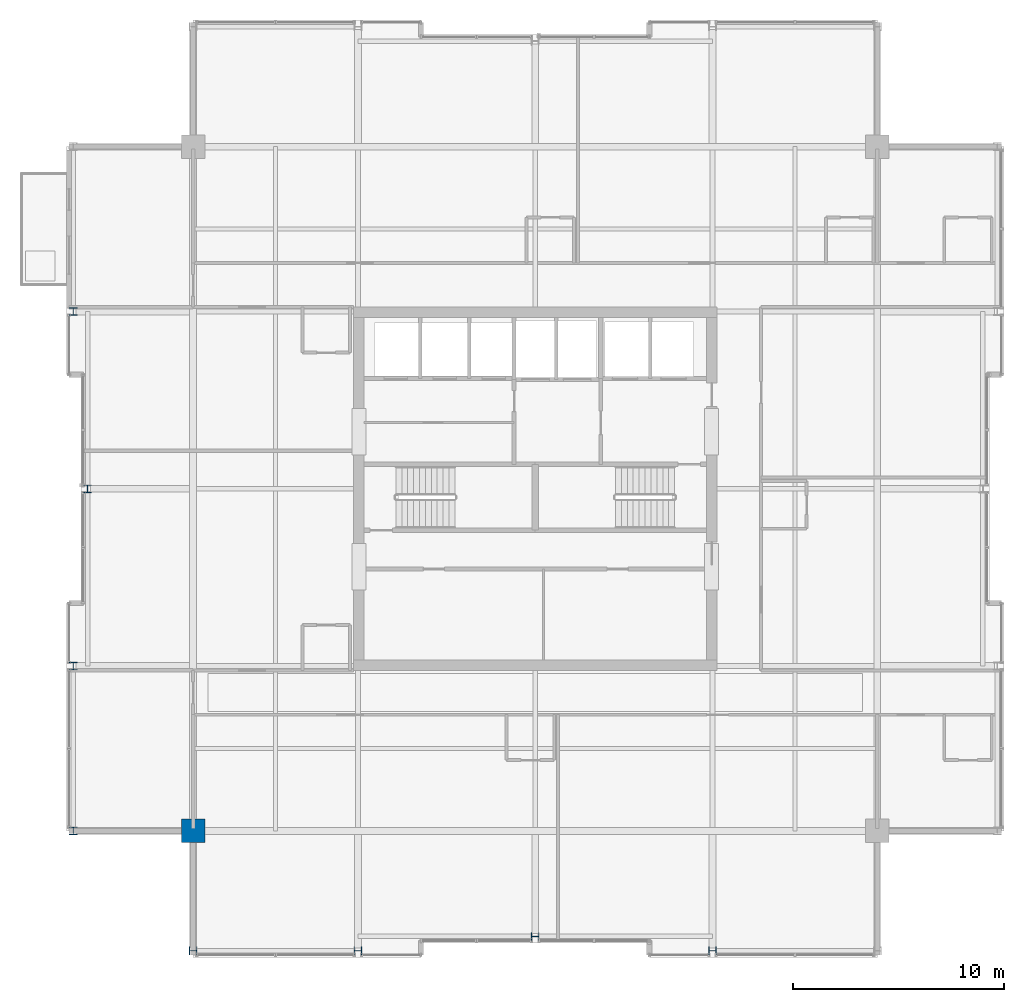
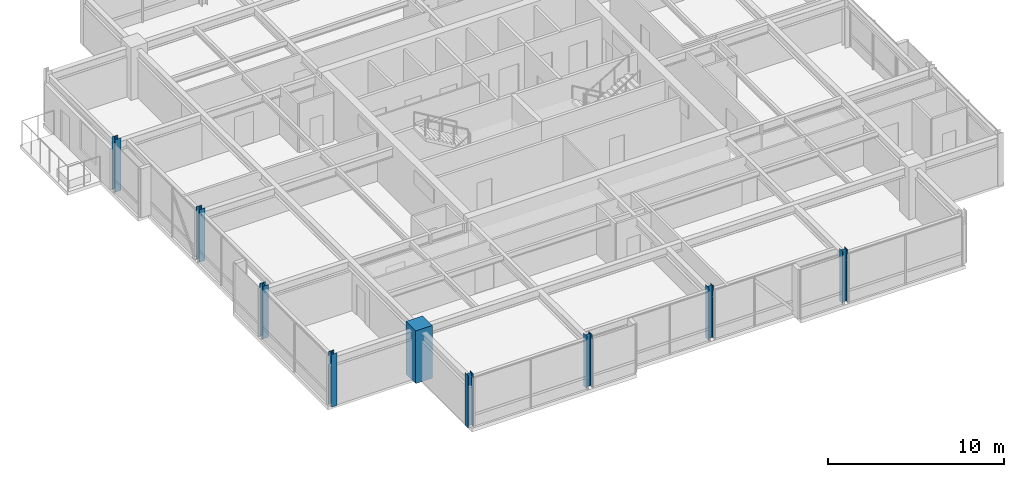
# One storey, part 1 of 33: 9 columns.
"""IFC4 building model written with IfcOpenShell, lengths in metres."""

from ifc_helpers import new_model, si_unit, direction, frame, origin, origin_2d, place, context, subcontext, project, spatial, rectangle, i_section, extrude, material, material_profile, profile_set, type_object, element, save


model = new_model("IFC4")

# Units and contexts
model_context = context("Model", 3, precision=1e-05, world=origin(), true_north=direction((0.0, 1.0)))
body_context = subcontext(model_context, "Body", "Model", "MODEL_VIEW")
ifc_project = project(units=[si_unit("LENGTHUNIT", "METRE"), si_unit("AREAUNIT", "SQUARE_METRE"), si_unit("VOLUMEUNIT", "CUBIC_METRE"), si_unit("PLANEANGLEUNIT", "RADIAN"), si_unit("MASSUNIT", "GRAM", prefix="KILO")], contexts=[model_context])

# Site, building, storey
site_placement = place(None, origin())
site = spatial("IfcSite", under=ifc_project, at=site_placement, CompositionType="ELEMENT")
building_placement = place(site_placement, origin())
building = spatial("IfcBuilding", under=site, at=building_placement, Name="Drelvath Grand Hotel", CompositionType="ELEMENT")
storey_placement = place(building_placement, frame((0.0, 0.0, 279.60009765625)))
storey = spatial("IfcBuildingStorey", under=building, at=storey_placement, Name="L73", CompositionType="ELEMENT", Elevation=279.60009765625)

# Columns
ifc_material_1 = material(Name="Concrete f'c 55 MPa", Category="concrete")
ifc_material_profile_1 = material_profile(ifc_material_1, rectangle(XDim=1.10009765625, YDim=1.10009765625, at=origin_2d()), Name="MC1100X1100")
ifc_profile_set_1 = profile_set([ifc_material_profile_1], Name="Concrete f'c 55 MPa")
column_type_1 = type_object("IfcColumnType", Name="Composite Mega Column MC1100X1100", PredefinedType="COLUMN", material=ifc_profile_set_1)
column_placement = place(storey_placement, frame((-16.199951171875, 10.800048828125, 0.0), z_axis=(0.0, 0.0, 1.0), x_axis=(1.0, 0.0, 0.0)))
element("IfcColumn", 1, at=column_placement, inside=storey, type_object=column_type_1, Name="L73 Composite Mega Column MC-SW", PredefinedType="COLUMN", context=body_context, shape_type="SweptSolid", body=[
    extrude(rectangle(XDim=1.10009765625, YDim=1.10009765625, at=origin_2d()), origin(), (0.0, 0.0, 1.0), 3.64990234375),
])
ifc_material_2 = material(Name="Steel ASTM A913 Gr 65", Category="steel")
ifc_material_profile_2 = material_profile(ifc_material_2, i_section(OverallWidth=0.368896484375, OverallDepth=0.356201171875, WebThickness=0.01123046875, FlangeThickness=0.01806640625, FilletRadius=0.02490234375, at=origin_2d()), Name="W14X90")
ifc_profile_set_2 = profile_set([ifc_material_profile_2], Name="Steel ASTM A913 Gr 65")
column_type_2 = type_object("IfcColumnType", Name="Perimeter Steel Column W14X90", PredefinedType="COLUMN", material=ifc_profile_set_2)
for number, where, z_axis, x_axis, name in (
    (2, (-21.8798828125, 10.800048828125, 0.0), (0.0, 0.0, 1.0), (1.0, 0.0, 0.0), "L73 Structural Column TCW-C"),
    (3, (-21.8798828125, 18.60009765625, 0.0), (0.0, 0.0, 1.0), (1.0, 0.0, 0.0), "L73 Structural Column TCW-D"),
    (4, (-21.199951171875, 27.0, 0.0), (0.0, 0.0, 1.0), (1.0, 0.0, 0.0), "L73 Structural Column TCW-E"),
    (5, (-21.8798828125, 35.39990234375, 0.0), (0.0, 0.0, 1.0), (1.0, 0.0, 0.0), "L73 Structural Column TCW-F"),
    (6, (-16.199951171875, 5.1201171875, 0.0), (0.0, 0.0, 1.0), (0.0, 1.0, 0.0), "L73 Structural Column TCS-3"),
    (7, (-8.39990234375, 5.1201171875, 0.0), (0.0, 0.0, 1.0), (0.0, 1.0, 0.0), "L73 Structural Column TCS-4"),
    (8, (0.0, 5.800048828125, 0.0), (0.0, 0.0, 1.0), (0.0, 1.0, 0.0), "L73 Structural Column TCS-5"),
    (9, (8.39990234375, 5.1201171875, 0.0), (0.0, 0.0, 1.0), (0.0, 1.0, 0.0), "L73 Structural Column TCS-6"),
):
    element("IfcColumn", number, at=place(storey_placement, frame(where, z_axis=z_axis, x_axis=x_axis)), inside=storey, type_object=column_type_2, Name=name, PredefinedType="COLUMN", context=body_context, shape_type="SweptSolid", body=[
        extrude(i_section(OverallWidth=0.368896484375, OverallDepth=0.356201171875, WebThickness=0.01123046875, FlangeThickness=0.01806640625, FilletRadius=0.02490234375, at=origin_2d()), origin(), (0.0, 0.0, 1.0), 3.64697265625),
    ])

save(model, "model.ifc")
